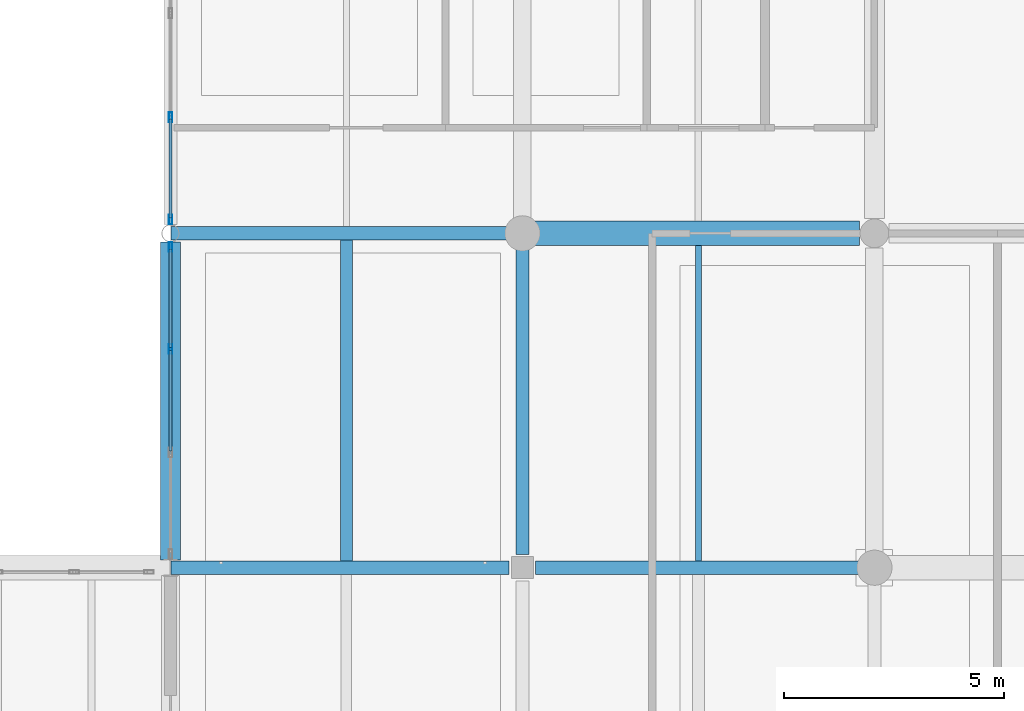
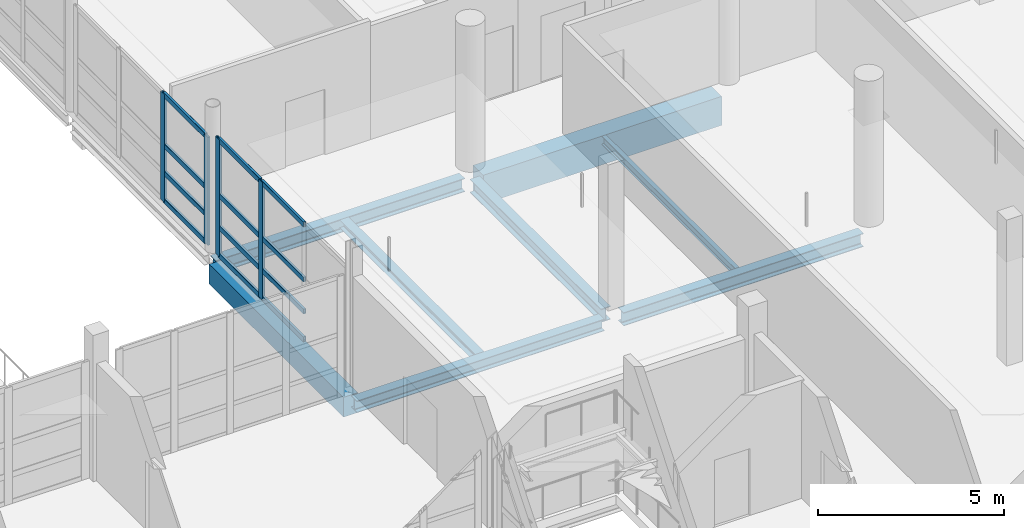
# One storey, part 42 of 147: 16 members, 8 beams, 2 elements without a shape of their own.
"""IFC4 building model written with IfcOpenShell, lengths in metres."""

from ifc_helpers import new_model, si_unit, direction, frame, origin, origin_2d, place, context, subcontext, project, spatial, rectangle, hollow_rectangle, i_section, extrude, material, material_profile, profile_set, type_object, element, aggregate, save


model = new_model("IFC4")

# Units and contexts
model_context = context("Model", 3, precision=1e-05, world=origin(), true_north=direction((0.0, 1.0)))
body_context = subcontext(model_context, "Body", "Model", "MODEL_VIEW")
ifc_project = project(units=[si_unit("LENGTHUNIT", "METRE"), si_unit("AREAUNIT", "SQUARE_METRE"), si_unit("VOLUMEUNIT", "CUBIC_METRE"), si_unit("PLANEANGLEUNIT", "RADIAN"), si_unit("MASSUNIT", "GRAM", prefix="KILO")], contexts=[model_context])

# Site, building, storey
site_placement = place(None, origin())
site = spatial("IfcSite", under=ifc_project, at=site_placement, CompositionType="ELEMENT")
building_placement = place(site_placement, origin())
building = spatial("IfcBuilding", under=site, at=building_placement, Name="Khelvaren Railside Concert Hall", CompositionType="ELEMENT")
storey_placement = place(building_placement, frame((0.0, 0.0, 5.39990234375)))
storey = spatial("IfcBuildingStorey", under=building, at=storey_placement, Name="L01", CompositionType="ELEMENT", Elevation=5.39990234375)

# Beams
ifc_material_1 = material(Name="Steel S355", Category="steel")
ifc_material_profile_1 = material_profile(ifc_material_1, i_section(OverallWidth=0.300048828125, OverallDepth=0.389892578125, WebThickness=0.010986328125, FlangeThickness=0.01904296875, FilletRadius=0.027099609375, at=origin_2d()), Name="HEA 400")
ifc_profile_set_1 = profile_set([ifc_material_profile_1], Name="Steel S355")
beam_type_1 = type_object("IfcBeamType", Name="BM23", PredefinedType="BEAM", material=ifc_profile_set_1)
beam_1_placement = place(storey_placement, frame((144.010009765625, 15.199951171875, -0.494873046875), z_axis=(1.0, 0.0, 0.0), x_axis=(0.0, 1.0, 0.0)))
element("IfcBeam", 1, at=beam_1_placement, inside=storey, type_object=beam_type_1, Name="V2 L01 Beam X3.1", PredefinedType="BEAM", context=body_context, shape_type="SweptSolid", body=[
    extrude(i_section(OverallWidth=0.300048828125, OverallDepth=0.389892578125, WebThickness=0.010986328125, FlangeThickness=0.01904296875, FilletRadius=0.027099609375, at=origin_2d()), origin(), (0.0, 0.0, 1.0), 7.68994140625),
])
ifc_material_profile_2 = material_profile(ifc_material_1, i_section(OverallWidth=0.300048828125, OverallDepth=0.43994140625, WebThickness=0.011474609375, FlangeThickness=0.02099609375, FilletRadius=0.027099609375, at=origin_2d()), Name="HEA 450")
ifc_profile_set_2 = profile_set([ifc_material_profile_2], Name="Steel S355")
beam_type_2 = type_object("IfcBeamType", Name="BM89", PredefinedType="BEAM", material=ifc_profile_set_2)
beam_2_placement = place(storey_placement, frame((152.300048828125, 15.199951171875, -0.52001953125), z_axis=(1.0, 0.0, 0.0), x_axis=(0.0, 1.0, 0.0)))
element("IfcBeam", 2, at=beam_2_placement, inside=storey, type_object=beam_type_2, Name="V2 L01 Beam X3.2", PredefinedType="BEAM", context=body_context, shape_type="SweptSolid", body=[
    extrude(i_section(OverallWidth=0.300048828125, OverallDepth=0.43994140625, WebThickness=0.011474609375, FlangeThickness=0.02099609375, FilletRadius=0.027099609375, at=origin_2d()), origin(), (0.0, 0.0, 1.0), 7.449951171875),
])
beam_3_placement = place(storey_placement, frame((144.010009765625, 22.800048828125, -0.52001953125), z_axis=(1.0, 0.0, 0.0), x_axis=(0.0, 1.0, 0.0)))
element("IfcBeam", 3, at=beam_3_placement, inside=storey, type_object=beam_type_2, Name="V2 L01 Beam X4.1", PredefinedType="BEAM", context=body_context, shape_type="SweptSolid", body=[
    extrude(i_section(OverallWidth=0.300048828125, OverallDepth=0.43994140625, WebThickness=0.011474609375, FlangeThickness=0.02099609375, FilletRadius=0.027099609375, at=origin_2d()), origin(), (0.0, 0.0, 1.0), 7.739990234375),
])
beam_4_placement = place(storey_placement, frame((152.0, 15.5, -0.52001953125), z_axis=(0.0, 1.0, 0.0), x_axis=(-1.0, 0.0, 0.0)))
element("IfcBeam", 4, at=beam_4_placement, inside=storey, type_object=beam_type_2, Name="V2 L01 Beam Y2.3", PredefinedType="BEAM", context=body_context, shape_type="SweptSolid", body=[
    extrude(i_section(OverallWidth=0.300048828125, OverallDepth=0.43994140625, WebThickness=0.011474609375, FlangeThickness=0.02099609375, FilletRadius=0.027099609375, at=origin_2d()), origin(), (0.0, 0.0, 1.0), 7.050048828125),
])

# Curtain wall, members
ifc_material_2 = material(Name="Triple-glazed solar-control glass", Category="glass")
curtain_wall_type_1 = type_object("IfcCurtainWallType", Name="CW41", PredefinedType="USERDEFINED", material=ifc_material_2)
curtain_wall_1_placement = place(storey_placement, origin())
curtain_wall_1 = element("IfcCurtainWall", 5, at=curtain_wall_1_placement, inside=storey, type_object=curtain_wall_type_1, Name="Unitised Curtain Wall CW-V2-L01-W-15", ObjectType="UNITISED CURTAIN WALL", PredefinedType="USERDEFINED")
ifc_material_3 = material(Name="Anodised architectural aluminium 6063-T6", Category="aluminium")
ifc_material_profile_3 = material_profile(ifc_material_3, hollow_rectangle(XDim=0.074951171875, YDim=0.219970703125, WallThickness=0.0048828125, InnerFilletRadius=0.0029296875, OuterFilletRadius=0.0048828125, at=origin_2d()), Name="CWM 75x220x5")
ifc_profile_set_3 = profile_set([ifc_material_profile_3], Name="Anodised architectural aluminium 6063-T6")
member_type_1 = type_object("IfcMemberType", Name="CWM13", PredefinedType="MULLION", material=ifc_profile_set_3)
member_1_placement = place(storey_placement, frame((144.0, 20.172119140625, 0.0), z_axis=(0.0, 0.0, 1.0), x_axis=(-1.0, 0.0, 0.0)))
member_1 = element("IfcMember", 6, at=member_1_placement, type_object=member_type_1, Name="CW41 mullion 3", PredefinedType="MULLION", context=body_context, shape_type="SweptSolid", body=[
    extrude(hollow_rectangle(XDim=0.074951171875, YDim=0.219970703125, WallThickness=0.0048828125, InnerFilletRadius=0.0029296875, OuterFilletRadius=0.0048828125, at=origin_2d()), origin(), (0.0, 0.0, 1.0), 3.85009765625),
])
member_2_placement = place(storey_placement, frame((144.0, 22.48681640625, 0.0), z_axis=(0.0, 0.0, 1.0), x_axis=(-1.0, 0.0, 0.0)))
member_2 = element("IfcMember", 7, at=member_2_placement, type_object=member_type_1, Name="CW41 mullion 4", PredefinedType="MULLION", context=body_context, shape_type="SweptSolid", body=[
    extrude(hollow_rectangle(XDim=0.074951171875, YDim=0.219970703125, WallThickness=0.0048828125, InnerFilletRadius=0.0029296875, OuterFilletRadius=0.0048828125, at=origin_2d()), origin(), (0.0, 0.0, 1.0), 3.85009765625),
])

curtain_wall_type_2 = type_object("IfcCurtainWallType", Name="CW88", PredefinedType="USERDEFINED", material=ifc_material_2)
curtain_wall_2_placement = place(storey_placement, origin())
curtain_wall_2 = element("IfcCurtainWall", 8, at=curtain_wall_2_placement, inside=storey, type_object=curtain_wall_type_2, Name="Unitised Curtain Wall CW-V2-L01-W-23", ObjectType="UNITISED CURTAIN WALL", PredefinedType="USERDEFINED")
member_3_placement = place(storey_placement, frame((144.0, 23.11328125, 0.0), z_axis=(0.0, 0.0, 1.0), x_axis=(-1.0, 0.0, 0.0)))
member_3 = element("IfcMember", 9, at=member_3_placement, type_object=member_type_1, Name="CW88 mullion 1", PredefinedType="MULLION", context=body_context, shape_type="SweptSolid", body=[
    extrude(hollow_rectangle(XDim=0.074951171875, YDim=0.219970703125, WallThickness=0.0048828125, InnerFilletRadius=0.0029296875, OuterFilletRadius=0.0048828125, at=origin_2d()), origin(), (0.0, 0.0, 1.0), 3.550048828125),
])
member_4_placement = place(storey_placement, frame((144.0, 25.43896484375, 0.0), z_axis=(0.0, 0.0, 1.0), x_axis=(-1.0, 0.0, 0.0)))
member_4 = element("IfcMember", 10, at=member_4_placement, type_object=member_type_1, Name="CW88 mullion 2", PredefinedType="MULLION", context=body_context, shape_type="SweptSolid", body=[
    extrude(hollow_rectangle(XDim=0.074951171875, YDim=0.219970703125, WallThickness=0.0048828125, InnerFilletRadius=0.0029296875, OuterFilletRadius=0.0048828125, at=origin_2d()), origin(), (0.0, 0.0, 1.0), 3.550048828125),
])

# Member
ifc_material_profile_4 = material_profile(ifc_material_3, hollow_rectangle(XDim=0.074951171875, YDim=0.1650390625, WallThickness=0.00390625, InnerFilletRadius=0.001953125, OuterFilletRadius=0.00390625, at=origin_2d()), Name="CWT 75x165x4")
ifc_profile_set_4 = profile_set([ifc_material_profile_4], Name="Anodised architectural aluminium 6063-T6")
member_type_2 = type_object("IfcMemberType", Name="CWT46", PredefinedType="USERDEFINED", material=ifc_profile_set_4)
member_5_placement = place(storey_placement, frame((144.0, 17.857177734375, 0.03759765625), z_axis=(0.0, 1.0, 0.0), x_axis=(-1.0, 0.0, 0.0)))
member_5 = element("IfcMember", 11, at=member_5_placement, type_object=member_type_2, Name="CW41 transom 2.1", ObjectType="TRANSOM", PredefinedType="USERDEFINED", context=body_context, shape_type="SweptSolid", body=[
    extrude(hollow_rectangle(XDim=0.074951171875, YDim=0.1650390625, WallThickness=0.00390625, InnerFilletRadius=0.001953125, OuterFilletRadius=0.00390625, at=origin_2d()), origin(), (0.0, 0.0, 1.0), 2.27734375),
])

member_6_placement = place(storey_placement, frame((144.0, 17.857177734375, 0.9501953125), z_axis=(0.0, 1.0, 0.0), x_axis=(-1.0, 0.0, 0.0)))
member_6 = element("IfcMember", 12, at=member_6_placement, type_object=member_type_2, Name="CW41 transom 2.2", ObjectType="TRANSOM", PredefinedType="USERDEFINED", context=body_context, shape_type="SweptSolid", body=[
    extrude(hollow_rectangle(XDim=0.074951171875, YDim=0.1650390625, WallThickness=0.00390625, InnerFilletRadius=0.001953125, OuterFilletRadius=0.00390625, at=origin_2d()), origin(), (0.0, 0.0, 1.0), 2.27734375),
])

member_7_placement = place(storey_placement, frame((144.0, 17.857177734375, 2.002197265625), z_axis=(0.0, 1.0, 0.0), x_axis=(-1.0, 0.0, 0.0)))
member_7 = element("IfcMember", 13, at=member_7_placement, type_object=member_type_2, Name="CW41 transom 2.3", ObjectType="TRANSOM", PredefinedType="USERDEFINED", context=body_context, shape_type="SweptSolid", body=[
    extrude(hollow_rectangle(XDim=0.074951171875, YDim=0.1650390625, WallThickness=0.00390625, InnerFilletRadius=0.001953125, OuterFilletRadius=0.00390625, at=origin_2d()), origin(), (0.0, 0.0, 1.0), 2.27734375),
])

member_8_placement = place(storey_placement, frame((144.0, 17.857177734375, 3.8125), z_axis=(0.0, 1.0, 0.0), x_axis=(-1.0, 0.0, 0.0)))
member_8 = element("IfcMember", 14, at=member_8_placement, type_object=member_type_2, Name="CW41 transom 2.4", ObjectType="TRANSOM", PredefinedType="USERDEFINED", context=body_context, shape_type="SweptSolid", body=[
    extrude(hollow_rectangle(XDim=0.074951171875, YDim=0.1650390625, WallThickness=0.00390625, InnerFilletRadius=0.001953125, OuterFilletRadius=0.00390625, at=origin_2d()), origin(), (0.0, 0.0, 1.0), 2.27734375),
])

member_9_placement = place(storey_placement, frame((144.0, 20.20947265625, 0.03759765625), z_axis=(0.0, 1.0, 0.0), x_axis=(-1.0, 0.0, 0.0)))
member_9 = element("IfcMember", 15, at=member_9_placement, type_object=member_type_2, Name="CW41 transom 3.1", ObjectType="TRANSOM", PredefinedType="USERDEFINED", context=body_context, shape_type="SweptSolid", body=[
    extrude(hollow_rectangle(XDim=0.074951171875, YDim=0.1650390625, WallThickness=0.00390625, InnerFilletRadius=0.001953125, OuterFilletRadius=0.00390625, at=origin_2d()), origin(), (0.0, 0.0, 1.0), 2.23974609375),
])

member_10_placement = place(storey_placement, frame((144.0, 20.20947265625, 0.9501953125), z_axis=(0.0, 1.0, 0.0), x_axis=(-1.0, 0.0, 0.0)))
member_10 = element("IfcMember", 16, at=member_10_placement, type_object=member_type_2, Name="CW41 transom 3.2", ObjectType="TRANSOM", PredefinedType="USERDEFINED", context=body_context, shape_type="SweptSolid", body=[
    extrude(hollow_rectangle(XDim=0.074951171875, YDim=0.1650390625, WallThickness=0.00390625, InnerFilletRadius=0.001953125, OuterFilletRadius=0.00390625, at=origin_2d()), origin(), (0.0, 0.0, 1.0), 2.23974609375),
])

member_11_placement = place(storey_placement, frame((144.0, 20.20947265625, 2.002197265625), z_axis=(0.0, 1.0, 0.0), x_axis=(-1.0, 0.0, 0.0)))
member_11 = element("IfcMember", 17, at=member_11_placement, type_object=member_type_2, Name="CW41 transom 3.3", ObjectType="TRANSOM", PredefinedType="USERDEFINED", context=body_context, shape_type="SweptSolid", body=[
    extrude(hollow_rectangle(XDim=0.074951171875, YDim=0.1650390625, WallThickness=0.00390625, InnerFilletRadius=0.001953125, OuterFilletRadius=0.00390625, at=origin_2d()), origin(), (0.0, 0.0, 1.0), 2.23974609375),
])

member_12_placement = place(storey_placement, frame((144.0, 20.20947265625, 3.8125), z_axis=(0.0, 1.0, 0.0), x_axis=(-1.0, 0.0, 0.0)))
member_12 = element("IfcMember", 18, at=member_12_placement, type_object=member_type_2, Name="CW41 transom 3.4", ObjectType="TRANSOM", PredefinedType="USERDEFINED", context=body_context, shape_type="SweptSolid", body=[
    extrude(hollow_rectangle(XDim=0.074951171875, YDim=0.1650390625, WallThickness=0.00390625, InnerFilletRadius=0.001953125, OuterFilletRadius=0.00390625, at=origin_2d()), origin(), (0.0, 0.0, 1.0), 2.23974609375),
])

aggregate(curtain_wall_1, [member_1, member_2, member_5, member_6, member_7, member_8, member_9, member_10, member_11, member_12])

member_13_placement = place(storey_placement, frame((144.0, 23.150634765625, 0.03759765625), z_axis=(0.0, 1.0, 0.0), x_axis=(-1.0, 0.0, 0.0)))
member_13 = element("IfcMember", 19, at=member_13_placement, type_object=member_type_2, Name="CW88 transom 1.1", ObjectType="TRANSOM", PredefinedType="USERDEFINED", context=body_context, shape_type="SweptSolid", body=[
    extrude(hollow_rectangle(XDim=0.074951171875, YDim=0.1650390625, WallThickness=0.00390625, InnerFilletRadius=0.001953125, OuterFilletRadius=0.00390625, at=origin_2d()), origin(), (0.0, 0.0, 1.0), 2.250732421875),
])

member_14_placement = place(storey_placement, frame((144.0, 23.150634765625, 0.9501953125), z_axis=(0.0, 1.0, 0.0), x_axis=(-1.0, 0.0, 0.0)))
member_14 = element("IfcMember", 20, at=member_14_placement, type_object=member_type_2, Name="CW88 transom 1.2", ObjectType="TRANSOM", PredefinedType="USERDEFINED", context=body_context, shape_type="SweptSolid", body=[
    extrude(hollow_rectangle(XDim=0.074951171875, YDim=0.1650390625, WallThickness=0.00390625, InnerFilletRadius=0.001953125, OuterFilletRadius=0.00390625, at=origin_2d()), origin(), (0.0, 0.0, 1.0), 2.250732421875),
])

member_15_placement = place(storey_placement, frame((144.0, 23.150634765625, 1.84619140625), z_axis=(0.0, 1.0, 0.0), x_axis=(-1.0, 0.0, 0.0)))
member_15 = element("IfcMember", 21, at=member_15_placement, type_object=member_type_2, Name="CW88 transom 1.3", ObjectType="TRANSOM", PredefinedType="USERDEFINED", context=body_context, shape_type="SweptSolid", body=[
    extrude(hollow_rectangle(XDim=0.074951171875, YDim=0.1650390625, WallThickness=0.00390625, InnerFilletRadius=0.001953125, OuterFilletRadius=0.00390625, at=origin_2d()), origin(), (0.0, 0.0, 1.0), 2.250732421875),
])

member_16_placement = place(storey_placement, frame((144.0, 23.150634765625, 3.5126953125), z_axis=(0.0, 1.0, 0.0), x_axis=(-1.0, 0.0, 0.0)))
member_16 = element("IfcMember", 22, at=member_16_placement, type_object=member_type_2, Name="CW88 transom 1.4", ObjectType="TRANSOM", PredefinedType="USERDEFINED", context=body_context, shape_type="SweptSolid", body=[
    extrude(hollow_rectangle(XDim=0.074951171875, YDim=0.1650390625, WallThickness=0.00390625, InnerFilletRadius=0.001953125, OuterFilletRadius=0.00390625, at=origin_2d()), origin(), (0.0, 0.0, 1.0), 2.250732421875),
])

aggregate(curtain_wall_2, [member_3, member_4, member_13, member_14, member_15, member_16])

# Beams
ifc_material_4 = material(Name="Concrete C40/50", Category="concrete")
ifc_material_profile_5 = material_profile(ifc_material_4, rectangle(XDim=0.550048828125, YDim=0.949951171875, at=origin_2d()), Name="RCB 550x950")
ifc_profile_set_5 = profile_set([ifc_material_profile_5], Name="Concrete C40/50")
beam_type_3 = type_object("IfcBeamType", Name="GR57", PredefinedType="T_BEAM", material=ifc_profile_set_5)
beam_5_placement = place(storey_placement, frame((152.25, 22.800048828125, -0.77490234375), z_axis=(1.0, 0.0, 0.0), x_axis=(0.0, 1.0, 0.0)))
element("IfcBeam", 23, at=beam_5_placement, inside=storey, type_object=beam_type_3, Name="V2 L01 T_Beam X4.2", PredefinedType="T_BEAM", context=body_context, shape_type="SweptSolid", body=[
    extrude(rectangle(XDim=0.550048828125, YDim=0.949951171875, at=origin_2d()), origin(), (0.0, 0.0, 1.0), 7.4140625),
])
ifc_material_profile_6 = material_profile(ifc_material_1, i_section(OverallWidth=0.280029296875, OverallDepth=0.27001953125, WebThickness=0.008056640625, FlangeThickness=0.012939453125, FilletRadius=0.02392578125, at=origin_2d()), Name="HEA 280")
ifc_profile_set_6 = profile_set([ifc_material_profile_6], Name="Steel S355")
beam_type_4 = type_object("IfcBeamType", Name="JS46", PredefinedType="JOIST", material=ifc_profile_set_6)
beam_6_placement = place(storey_placement, frame((148.0, 15.35009765625, -0.434814453125), z_axis=(0.0, 1.0, 0.0), x_axis=(-1.0, 0.0, 0.0)))
element("IfcBeam", 24, at=beam_6_placement, inside=storey, type_object=beam_type_4, Name="V2 L01 Secondary Joist 1.3", PredefinedType="JOIST", context=body_context, shape_type="SweptSolid", body=[
    extrude(i_section(OverallWidth=0.280029296875, OverallDepth=0.27001953125, WebThickness=0.008056640625, FlangeThickness=0.012939453125, FilletRadius=0.02392578125, at=origin_2d()), origin(), (0.0, 0.0, 1.0), 7.2998046875),
])
ifc_material_profile_7 = material_profile(ifc_material_1, i_section(OverallWidth=0.135009765625, OverallDepth=0.27001953125, WebThickness=0.006591796875, FlangeThickness=0.01025390625, FilletRadius=0.014892578125, at=origin_2d()), Name="IPE 270")
ifc_profile_set_7 = profile_set([ifc_material_profile_7], Name="Steel S355")
beam_type_5 = type_object("IfcBeamType", Name="JS78", PredefinedType="JOIST", material=ifc_profile_set_7)
beam_7_placement = place(storey_placement, frame((156.0, 15.35009765625, -0.434814453125), z_axis=(0.0, 1.0, 0.0), x_axis=(-1.0, 0.0, 0.0)))
element("IfcBeam", 25, at=beam_7_placement, inside=storey, type_object=beam_type_5, Name="V2 L01 Secondary Joist 2.3", PredefinedType="JOIST", context=body_context, shape_type="SweptSolid", body=[
    extrude(i_section(OverallWidth=0.135009765625, OverallDepth=0.27001953125, WebThickness=0.006591796875, FlangeThickness=0.01025390625, FilletRadius=0.014892578125, at=origin_2d()), origin(), (0.0, 0.0, 1.0), 7.1748046875),
])
ifc_material_profile_8 = material_profile(ifc_material_4, rectangle(XDim=0.449951171875, YDim=0.64990234375, at=origin_2d()), Name="RCB 450x650")
ifc_profile_set_8 = profile_set([ifc_material_profile_8], Name="Concrete C40/50")
beam_type_6 = type_object("IfcBeamType", Name="SP34", PredefinedType="SPANDREL", material=ifc_profile_set_8)
beam_8_placement = place(storey_placement, frame((144.0, 15.3798828125, -0.625), z_axis=(0.0, 1.0, 0.0), x_axis=(-1.0, 0.0, 0.0)))
element("IfcBeam", 26, at=beam_8_placement, inside=storey, type_object=beam_type_6, Name="V2 L01 Spandrel Y1.3", PredefinedType="SPANDREL", context=body_context, shape_type="SweptSolid", body=[
    extrude(rectangle(XDim=0.449951171875, YDim=0.64990234375, at=origin_2d()), origin(), (0.0, 0.0, 1.0), 7.22509765625),
])

save(model, "model.ifc")
